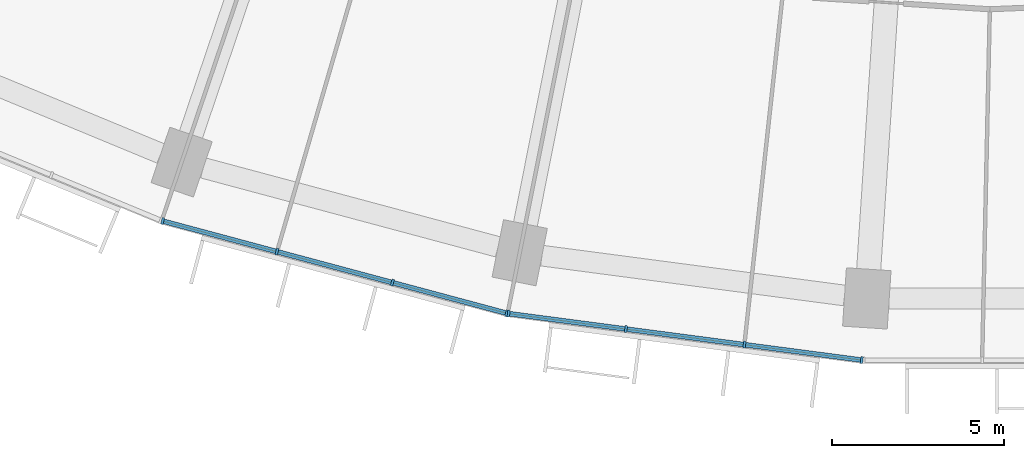
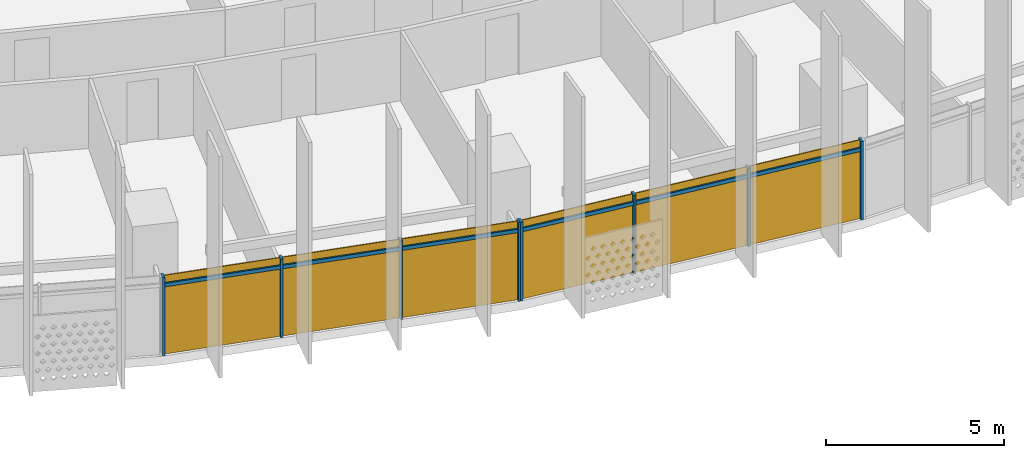
# One storey, part 19 of 31: 14 members, 2 curtain walls.
"""IFC4 building model written with IfcOpenShell, lengths in metres."""

from ifc_helpers import new_model, si_unit, direction, frame, origin, origin_2d, place, context, subcontext, project, spatial, rectangle, extrude, material, material_profile, profile_set, type_object, element, aggregate, save


model = new_model("IFC4")

# Units and contexts
model_context = context("Model", 3, precision=1e-05, world=origin(), true_north=direction((0.0, 1.0)))
body_context = subcontext(model_context, "Body", "Model", "MODEL_VIEW")
ifc_project = project(units=[si_unit("LENGTHUNIT", "METRE"), si_unit("AREAUNIT", "SQUARE_METRE"), si_unit("VOLUMEUNIT", "CUBIC_METRE"), si_unit("PLANEANGLEUNIT", "RADIAN"), si_unit("MASSUNIT", "GRAM", prefix="KILO")], contexts=[model_context])

# Member
ifc_material = material(Name="Aluminium 6063-T6 anodised", Category="aluminium")
ifc_material_profile_1 = material_profile(ifc_material, rectangle(XDim=0.199951171875, YDim=0.070068359375, at=origin_2d()))
ifc_profile_set_1 = profile_set([ifc_material_profile_1], Name="Aluminium 6063-T6 anodised")
member_type_1 = type_object("IfcMemberType", Name="Mullion 70 x 200 aluminium", PredefinedType="MULLION", material=ifc_profile_set_1)
site_placement = place(None, origin())
building_placement = place(site_placement, origin())
storey_placement = place(building_placement, frame((0.0, 0.0, 48.10009765625)))
member_1_placement = place(storey_placement, frame((-25.54296875, -75.33544921875, 0.0), z_axis=(0.0, 0.0, 1.0), x_axis=(0.258819045103, 0.965925826289, 0.0)))
member_1 = element("IfcMember", 1, at=member_1_placement, type_object=member_type_1, Name="e-cw1-L08-out06/M00", PredefinedType="MULLION", context=body_context, shape_type="SweptSolid", body=[
    extrude(rectangle(XDim=0.199951171875, YDim=0.070068359375, at=origin_2d()), origin(), (0.0, 0.0, 1.0), 2.699951171875),
])

member_2_placement = place(storey_placement, frame((-22.22216796875, -76.225341796875, 0.0), z_axis=(0.0, 0.0, 1.0), x_axis=(0.258819045103, 0.965925826289, 0.0)))
member_2 = element("IfcMember", 2, at=member_2_placement, type_object=member_type_1, Name="e-cw1-L08-out06/M01", PredefinedType="MULLION", context=body_context, shape_type="SweptSolid", body=[
    extrude(rectangle(XDim=0.199951171875, YDim=0.070068359375, at=origin_2d()), origin(), (0.0, 0.0, 1.0), 2.699951171875),
])

member_3_placement = place(storey_placement, frame((-18.86767578125, -77.1240234375, 0.0), z_axis=(0.0, 0.0, 1.0), x_axis=(0.258819045103, 0.965925826289, 0.0)))
member_3 = element("IfcMember", 3, at=member_3_placement, type_object=member_type_1, Name="e-cw1-L08-out06/M02", PredefinedType="MULLION", context=body_context, shape_type="SweptSolid", body=[
    extrude(rectangle(XDim=0.199951171875, YDim=0.070068359375, at=origin_2d()), origin(), (0.0, 0.0, 1.0), 2.699951171875),
])

member_4_placement = place(storey_placement, frame((-15.546875, -78.013916015625, 0.0), z_axis=(0.0, 0.0, 1.0), x_axis=(0.258819045103, 0.965925826289, 0.0)))
member_4 = element("IfcMember", 4, at=member_4_placement, type_object=member_type_1, Name="e-cw1-L08-out06/M03", PredefinedType="MULLION", context=body_context, shape_type="SweptSolid", body=[
    extrude(rectangle(XDim=0.199951171875, YDim=0.070068359375, at=origin_2d()), origin(), (0.0, 0.0, 1.0), 2.699951171875),
])

member_5_placement = place(storey_placement, frame((-15.4912109375, -78.02490234375, 0.0), z_axis=(0.0, 0.0, 1.0), x_axis=(0.13052619222, 0.991444861374, 0.0)))
member_5 = element("IfcMember", 5, at=member_5_placement, type_object=member_type_1, Name="e-cw1-L08-out07/M00", PredefinedType="MULLION", context=body_context, shape_type="SweptSolid", body=[
    extrude(rectangle(XDim=0.199951171875, YDim=0.070068359375, at=origin_2d()), origin(), (0.0, 0.0, 1.0), 2.699951171875),
])

member_6_placement = place(storey_placement, frame((-12.082763671875, -78.4736328125, 0.0), z_axis=(0.0, 0.0, 1.0), x_axis=(0.13052619222, 0.991444861374, 0.0)))
member_6 = element("IfcMember", 6, at=member_6_placement, type_object=member_type_1, Name="e-cw1-L08-out07/M01", PredefinedType="MULLION", context=body_context, shape_type="SweptSolid", body=[
    extrude(rectangle(XDim=0.199951171875, YDim=0.070068359375, at=origin_2d()), origin(), (0.0, 0.0, 1.0), 2.699951171875),
])

member_7_placement = place(storey_placement, frame((-8.639404296875, -78.927001953125, 0.0), z_axis=(0.0, 0.0, 1.0), x_axis=(0.13052619222, 0.991444861374, 0.0)))
member_7 = element("IfcMember", 7, at=member_7_placement, type_object=member_type_1, Name="e-cw1-L08-out07/M02", PredefinedType="MULLION", context=body_context, shape_type="SweptSolid", body=[
    extrude(rectangle(XDim=0.199951171875, YDim=0.070068359375, at=origin_2d()), origin(), (0.0, 0.0, 1.0), 2.699951171875),
])

member_8_placement = place(storey_placement, frame((-5.23095703125, -79.375732421875, 0.0), z_axis=(0.0, 0.0, 1.0), x_axis=(0.13052619222, 0.991444861374, 0.0)))
member_8 = element("IfcMember", 8, at=member_8_placement, type_object=member_type_1, Name="e-cw1-L08-out07/M03", PredefinedType="MULLION", context=body_context, shape_type="SweptSolid", body=[
    extrude(rectangle(XDim=0.199951171875, YDim=0.070068359375, at=origin_2d()), origin(), (0.0, 0.0, 1.0), 2.699951171875),
])

ifc_material_profile_2 = material_profile(ifc_material, rectangle(XDim=0.139892578125, YDim=0.1201171875, at=origin_2d()))
ifc_profile_set_2 = profile_set([ifc_material_profile_2], Name="Aluminium 6063-T6 anodised")
member_type_2 = type_object("IfcMemberType", Name="Transom 120 x 140 aluminium", PredefinedType="USERDEFINED", material=ifc_profile_set_2)
member_9_placement = place(storey_placement, frame((-25.50927734375, -75.344482421875, 2.39990234375), z_axis=(0.965915368772, -0.258858069935, 0.0), x_axis=(0.258858069935, 0.965915368772, 0.0)))
member_9 = element("IfcMember", 9, at=member_9_placement, type_object=member_type_2, Name="e-cw1-L08-out06/T00", ObjectType="TRANSOM", PredefinedType="USERDEFINED", context=body_context, shape_type="SweptSolid", body=[
    extrude(rectangle(XDim=0.139892578125, YDim=0.1201171875, at=origin_2d()), origin(), (0.0, 0.0, 1.0), 3.367919921875),
])

member_10_placement = place(storey_placement, frame((-22.1884765625, -76.234375, 2.39990234375), z_axis=(0.965937804901, -0.258774336176, 0.0), x_axis=(0.258774336176, 0.965937804901, 0.0)))
member_10 = element("IfcMember", 10, at=member_10_placement, type_object=member_type_2, Name="e-cw1-L08-out06/T01", ObjectType="TRANSOM", PredefinedType="USERDEFINED", context=body_context, shape_type="SweptSolid", body=[
    extrude(rectangle(XDim=0.139892578125, YDim=0.1201171875, at=origin_2d()), origin(), (0.0, 0.0, 1.0), 3.403076171875),
])

member_11_placement = place(storey_placement, frame((-18.833740234375, -77.133056640625, 2.39990234375), z_axis=(0.965915368772, -0.258858069935, 0.0), x_axis=(0.258858069935, 0.965915368772, 0.0)))
member_11 = element("IfcMember", 11, at=member_11_placement, type_object=member_type_2, Name="e-cw1-L08-out06/T02", ObjectType="TRANSOM", PredefinedType="USERDEFINED", context=body_context, shape_type="SweptSolid", body=[
    extrude(rectangle(XDim=0.139892578125, YDim=0.1201171875, at=origin_2d()), origin(), (0.0, 0.0, 1.0), 3.367919921875),
])

member_12_placement = place(storey_placement, frame((-15.45654296875, -78.029541015625, 2.39990234375), z_axis=(0.9914412138, -0.130553895303, 0.0), x_axis=(0.130553895303, 0.9914412138, 0.0)))
member_12 = element("IfcMember", 12, at=member_12_placement, type_object=member_type_2, Name="e-cw1-L08-out07/T00", ObjectType="TRANSOM", PredefinedType="USERDEFINED", context=body_context, shape_type="SweptSolid", body=[
    extrude(rectangle(XDim=0.139892578125, YDim=0.1201171875, at=origin_2d()), origin(), (0.0, 0.0, 1.0), 3.367919921875),
])

member_13_placement = place(storey_placement, frame((-12.048095703125, -78.478271484375, 2.39990234375), z_axis=(0.991447700941, -0.130504621753, 0.0), x_axis=(0.130504621753, 0.991447700941, 0.0)))
member_13 = element("IfcMember", 13, at=member_13_placement, type_object=member_type_2, Name="e-cw1-L08-out07/T01", ObjectType="TRANSOM", PredefinedType="USERDEFINED", context=body_context, shape_type="SweptSolid", body=[
    extrude(rectangle(XDim=0.139892578125, YDim=0.1201171875, at=origin_2d()), origin(), (0.0, 0.0, 1.0), 3.40283203125),
])

member_14_placement = place(storey_placement, frame((-8.604736328125, -78.931640625, 2.39990234375), z_axis=(0.991450594138, -0.130482640159, 0.0), x_axis=(0.130482640159, 0.991450594138, 0.0)))
member_14 = element("IfcMember", 14, at=member_14_placement, type_object=member_type_2, Name="e-cw1-L08-out07/T02", ObjectType="TRANSOM", PredefinedType="USERDEFINED", context=body_context, shape_type="SweptSolid", body=[
    extrude(rectangle(XDim=0.139892578125, YDim=0.1201171875, at=origin_2d()), origin(), (0.0, 0.0, 1.0), 3.367919921875),
])

# Site, building, storey
site = spatial("IfcSite", under=ifc_project, at=site_placement, CompositionType="ELEMENT")
building = spatial("IfcBuilding", under=site, at=building_placement, Name="Qamariyya Broadcast Tower", CompositionType="ELEMENT")
storey = spatial("IfcBuildingStorey", under=building, at=storey_placement, Name="L08", CompositionType="ELEMENT", Elevation=48.10009765625)

# Curtain wall
curtain_wall_type = type_object("IfcCurtainWallType", Name="Unitised curtain wall, anodised aluminium", PredefinedType="NOTDEFINED", material=ifc_material)
curtain_wall_1_placement = place(storey_placement, origin())
curtain_wall_1 = element("IfcCurtainWall", 15, at=curtain_wall_1_placement, inside=storey, type_object=curtain_wall_type, Name="e-cw1-L08-out06", PredefinedType="NOTDEFINED", context=body_context, shape_type="SweptSolid", body=[
    extrude(rectangle(XDim=3.367919921875, YDim=0.031982421875, at=origin_2d()), frame((-23.882568359375, -75.7802734375, 0.0), x_axis=(0.965925039578, -0.258821981129, 0.0)), (0.0, 0.0, 1.0), 2.340087890625),
    extrude(rectangle(XDim=3.367919921875, YDim=0.031982421875, at=origin_2d()), frame((-23.882568359375, -75.7802734375, 2.4599609375), x_axis=(0.965925039578, -0.258821981129, 0.0)), (0.0, 0.0, 1.0), 0.239990234375),
    extrude(rectangle(XDim=3.40283203125, YDim=0.031982421875, at=origin_2d()), frame((-20.544921875, -76.6748046875, 0.0), x_axis=(0.965925039578, -0.258821981129, 0.0)), (0.0, 0.0, 1.0), 2.340087890625),
    extrude(rectangle(XDim=3.40283203125, YDim=0.031982421875, at=origin_2d()), frame((-20.544921875, -76.6748046875, 2.4599609375), x_axis=(0.965925039578, -0.258821981129, 0.0)), (0.0, 0.0, 1.0), 0.239990234375),
    extrude(rectangle(XDim=3.367919921875, YDim=0.031982421875, at=origin_2d()), frame((-17.207275390625, -77.569091796875, 0.0), x_axis=(0.965925039578, -0.258821981129, 0.0)), (0.0, 0.0, 1.0), 2.340087890625),
    extrude(rectangle(XDim=3.367919921875, YDim=0.031982421875, at=origin_2d()), frame((-17.207275390625, -77.569091796875, 2.4599609375), x_axis=(0.965925039578, -0.258821981129, 0.0)), (0.0, 0.0, 1.0), 0.239990234375),
])

aggregate(curtain_wall_1, [member_1, member_2, member_3, member_4, member_9, member_10, member_11])

curtain_wall_2_placement = place(storey_placement, origin())
curtain_wall_2 = element("IfcCurtainWall", 16, at=curtain_wall_2_placement, inside=storey, type_object=curtain_wall_type, Name="e-cw1-L08-out07", PredefinedType="NOTDEFINED", context=body_context, shape_type="SweptSolid", body=[
    extrude(rectangle(XDim=3.367919921875, YDim=0.031982421875, at=origin_2d()), frame((-13.786865234375, -78.24951171875, 0.0), x_axis=(0.991445519925, -0.130521189931, 0.0)), (0.0, 0.0, 1.0), 2.340087890625),
    extrude(rectangle(XDim=3.367919921875, YDim=0.031982421875, at=origin_2d()), frame((-13.786865234375, -78.24951171875, 2.4599609375), x_axis=(0.991445519925, -0.130521189931, 0.0)), (0.0, 0.0, 1.0), 0.239990234375),
    extrude(rectangle(XDim=3.40283203125, YDim=0.031982421875, at=origin_2d()), frame((-10.361083984375, -78.700439453125, 0.0), x_axis=(0.991445519925, -0.130521189931, 0.0)), (0.0, 0.0, 1.0), 2.340087890625),
    extrude(rectangle(XDim=3.40283203125, YDim=0.031982421875, at=origin_2d()), frame((-10.361083984375, -78.700439453125, 2.4599609375), x_axis=(0.991445519925, -0.130521189931, 0.0)), (0.0, 0.0, 1.0), 0.239990234375),
    extrude(rectangle(XDim=3.367919921875, YDim=0.031982421875, at=origin_2d()), frame((-6.935302734375, -79.1513671875, 0.0), x_axis=(0.991445519925, -0.130521189931, 0.0)), (0.0, 0.0, 1.0), 2.340087890625),
    extrude(rectangle(XDim=3.367919921875, YDim=0.031982421875, at=origin_2d()), frame((-6.935302734375, -79.1513671875, 2.4599609375), x_axis=(0.991445519925, -0.130521189931, 0.0)), (0.0, 0.0, 1.0), 0.239990234375),
])

aggregate(curtain_wall_2, [member_5, member_6, member_7, member_8, member_12, member_13, member_14])

save(model, "model.ifc")
